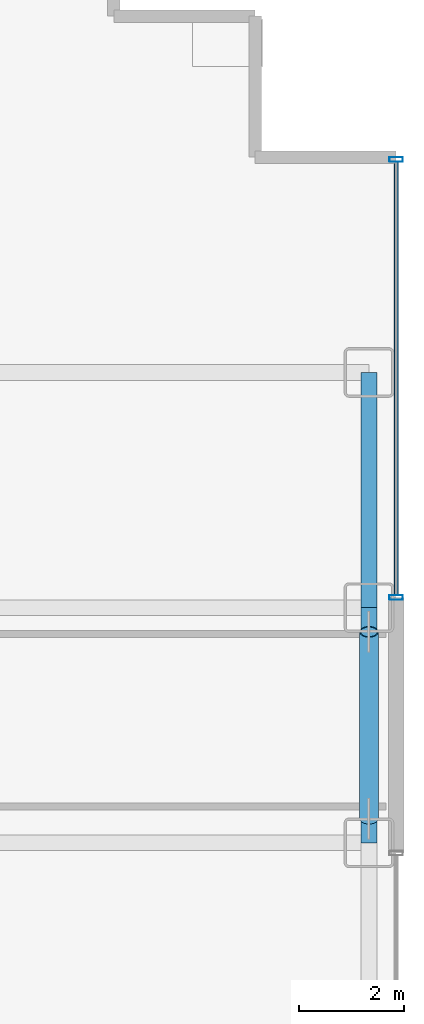
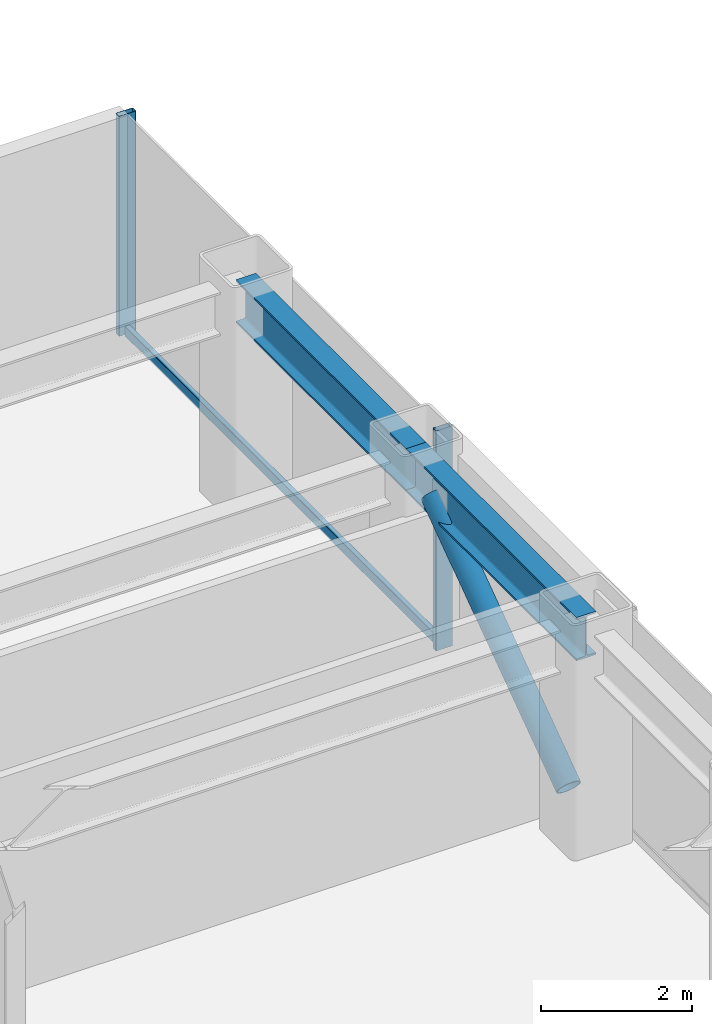
# One storey, part 19 of 29: 4 members, 2 beams, 1 element without a shape of its own.
"""IFC4 building model written with IfcOpenShell, lengths in metres."""

from ifc_helpers import new_model, si_unit, direction, frame, origin, origin_2d, place, context, subcontext, project, spatial, hollow_rectangle, hollow_circle, i_section, extrude, source, transform, mapped, material, layer, layer_set, material_profile, profile_set, type_object, element, aggregate, save


model = new_model("IFC4")

# Units and contexts
model_context = context("Model", 3, precision=1e-05, world=origin(), true_north=direction((0.0, 1.0)))
body_context = subcontext(model_context, "Body", "Model", "MODEL_VIEW")
ifc_project = project(units=[si_unit("LENGTHUNIT", "METRE"), si_unit("AREAUNIT", "SQUARE_METRE"), si_unit("VOLUMEUNIT", "CUBIC_METRE"), si_unit("PLANEANGLEUNIT", "RADIAN"), si_unit("MASSUNIT", "GRAM", prefix="KILO")], contexts=[model_context])

# Site, building, storey
site_placement = place(None, origin())
site = spatial("IfcSite", under=ifc_project, at=site_placement, CompositionType="ELEMENT")
building_placement = place(site_placement, origin())
building = spatial("IfcBuilding", under=site, at=building_placement, Name="Nefas-Gora Pilgrimage Tower", CompositionType="ELEMENT")
storey_placement = place(building_placement, frame((0.0, 0.0, 55.800048828125)))
storey = spatial("IfcBuildingStorey", under=building, at=storey_placement, Name="L12", CompositionType="ELEMENT", Elevation=55.800048828125)

# Beams
ifc_material_1 = material(Name="Steel S355", Category="steel")
ifc_material_profile_1 = material_profile(ifc_material_1, i_section(OverallWidth=0.300048828125, OverallDepth=0.699951171875, WebThickness=0.01708984375, FlangeThickness=0.031982421875, FilletRadius=0.027099609375, at=origin_2d()), Name="HEB 700")
ifc_profile_set_1 = profile_set([ifc_material_profile_1], Name="Steel S355")
beam_type = type_object("IfcBeamType", Name="BM-SPN-HEB600", PredefinedType="SPANDREL", material=ifc_profile_set_1)
shared_shape_1 = source(origin(), body_context, "Body", "SweptSolid", [
    extrude(i_section(OverallWidth=0.300048828125, OverallDepth=0.699951171875, WebThickness=0.01708984375, FlangeThickness=0.031982421875, FilletRadius=0.027099609375, at=origin_2d()), origin(), (0.0, 0.0, 1.0), 4.5),
])
for number, where, z_axis, x_axis, name in (
    (1, (33.75, 4.5, 3.199951171875), (0.0, 1.0, 0.0), (-1.0, 0.0, 0.0), "L12 SP-01 beam"),
    (2, (33.75, 9.0, 3.199951171875), (0.0, 1.0, 0.0), (-1.0, 0.0, 0.0), "L12 SP-01 beam"),
):
    element("IfcBeam", number, at=place(storey_placement, frame(where, z_axis=z_axis, x_axis=x_axis)), inside=storey, type_object=beam_type, Name=name, PredefinedType="SPANDREL", context=body_context, shape_type="MappedRepresentation", body=[
        mapped(shared_shape_1, transform((0.0, 0.0, 0.0), x_axis=(1.0, 0.0, 0.0), y_axis=(0.0, 1.0, 0.0), z_axis=(0.0, 0.0, 1.0), scale=1.0)),
    ])

# Member
ifc_material_2 = material(Name="Steel S460", Category="steel")
ifc_material_profile_2 = material_profile(ifc_material_2, hollow_circle(Radius=0.177734375, WallThickness=0.02001953125, at=origin_2d()), Name="CHS 355.6x20")
ifc_profile_set_2 = profile_set([ifc_material_profile_2], Name="Steel S460")
member_type_1 = type_object("IfcMemberType", Name="MEM-TUBE-356", PredefinedType="BRACE", material=ifc_profile_set_2)
shared_shape_2 = source(origin(), body_context, "Body", "SweptSolid", [
    extrude(hollow_circle(Radius=0.177734375, WallThickness=0.02001953125, at=origin_2d()), origin(), (0.0, 0.0, 1.0), 4.39501953125),
])
member_1_placement = place(storey_placement, frame((33.75, 4.962890625, 0.481201171875), z_axis=(0.0, 0.813264026864, 0.581894855287), x_axis=(-1.0, 0.0, 0.0)))
element("IfcMember", 3, at=member_1_placement, inside=storey, type_object=member_type_1, Name="L12 Perimeter Tube Diagonal Brace E2", PredefinedType="BRACE", context=body_context, shape_type="MappedRepresentation", body=[
    mapped(shared_shape_2, transform((0.0, 0.0, 0.0), x_axis=(1.0, 0.0, 0.0), y_axis=(0.0, 1.0, 0.0), z_axis=(0.0, 0.0, 1.0), scale=1.0)),
])

# Curtain wall, members
ifc_material_3 = material(Name="Dark ceramic-fritted solar-control aluminium-glass curtain wall", Category="aluminium")
ifc_layer = layer(ifc_material_3, 0.219970703125)
ifc_layer_set = layer_set([ifc_layer], Name="Dark ceramic-fritted solar-control aluminium-glass curtain wall")
curtain_wall_type = type_object("IfcCurtainWallType", Name="CW-SYS-2", PredefinedType="NOTDEFINED", material=ifc_layer_set)
curtain_wall_placement = place(storey_placement, origin())
curtain_wall = element("IfcCurtainWall", 4, at=curtain_wall_placement, inside=storey, type_object=curtain_wall_type, Name="L12 Unitised Curtain Wall CW2", PredefinedType="NOTDEFINED")
ifc_material_4 = material(Name="Anodised architectural aluminium", Category="aluminium")
ifc_material_profile_3 = material_profile(ifc_material_4, hollow_rectangle(XDim=0.090087890625, YDim=0.260009765625, WallThickness=0.006103515625, InnerFilletRadius=0.006103515625, OuterFilletRadius=0.011962890625, at=origin_2d()), Name="ALU MULLION 90x260")
ifc_profile_set_3 = profile_set([ifc_material_profile_3], Name="Anodised architectural aluminium")
member_type_2 = type_object("IfcMemberType", Name="CWM-MUL-2", PredefinedType="MULLION", material=ifc_profile_set_3)
shared_shape_3 = source(origin(), body_context, "Body", "SweptSolid", [
    extrude(hollow_rectangle(XDim=0.090087890625, YDim=0.260009765625, WallThickness=0.006103515625, InnerFilletRadius=0.006103515625, OuterFilletRadius=0.011962890625, at=origin_2d()), origin(), (0.0, 0.0, 1.0), 3.550048828125),
])
member_2_placement = place(storey_placement, frame((34.27001953125, 9.195068359375, 0.0), z_axis=(0.0, 0.0, 1.0), x_axis=(0.0, 1.0, 0.0)))
member_2 = element("IfcMember", 5, at=member_2_placement, type_object=member_type_2, Name="CW2 Mullion 1", PredefinedType="MULLION", context=body_context, shape_type="MappedRepresentation", body=[
    mapped(shared_shape_3, transform((0.0, 0.0, 0.0), x_axis=(1.0, 0.0, 0.0), y_axis=(0.0, 1.0, 0.0), z_axis=(0.0, 0.0, 1.0), scale=1.0)),
])
member_3_placement = place(storey_placement, frame((34.27001953125, 17.574951171875, 0.0), z_axis=(0.0, 0.0, 1.0), x_axis=(0.0, 1.0, 0.0)))
member_3 = element("IfcMember", 6, at=member_3_placement, type_object=member_type_2, Name="CW2 Mullion 2", PredefinedType="MULLION", context=body_context, shape_type="MappedRepresentation", body=[
    mapped(shared_shape_3, transform((0.0, 0.0, 0.0), x_axis=(1.0, 0.0, 0.0), y_axis=(0.0, 1.0, 0.0), z_axis=(0.0, 0.0, 1.0), scale=1.0)),
])
ifc_material_profile_4 = material_profile(ifc_material_4, hollow_rectangle(XDim=0.080078125, YDim=0.159912109375, WallThickness=0.00439453125, InnerFilletRadius=0.00439453125, OuterFilletRadius=0.009033203125, at=origin_2d()), Name="ALU TRANSOM 80x160")
ifc_profile_set_4 = profile_set([ifc_material_profile_4], Name="Anodised architectural aluminium")
member_type_3 = type_object("IfcMemberType", Name="CWM-TRN-2", PredefinedType="USERDEFINED", material=ifc_profile_set_4)
shared_shape_4 = source(origin(), body_context, "Body", "SweptSolid", [
    extrude(hollow_rectangle(XDim=0.080078125, YDim=0.159912109375, WallThickness=0.00439453125, InnerFilletRadius=0.00439453125, OuterFilletRadius=0.009033203125, at=origin_2d()), origin(), (0.0, 0.0, 1.0), 8.2900390625),
])
member_4_placement = place(storey_placement, frame((34.27001953125, 9.239990234375, 0.050048828125), z_axis=(0.0, 1.0, 0.0), x_axis=(-1.0, 0.0, 0.0)))
member_4 = element("IfcMember", 7, at=member_4_placement, type_object=member_type_3, Name="CW2 Spandrel Transom", ObjectType="TRANSOM", PredefinedType="USERDEFINED", context=body_context, shape_type="MappedRepresentation", body=[
    mapped(shared_shape_4, transform((0.0, 0.0, 0.0), x_axis=(1.0, 0.0, 0.0), y_axis=(0.0, 1.0, 0.0), z_axis=(0.0, 0.0, 1.0), scale=1.0)),
])
aggregate(curtain_wall, [member_2, member_3, member_4])

save(model, "model.ifc")
